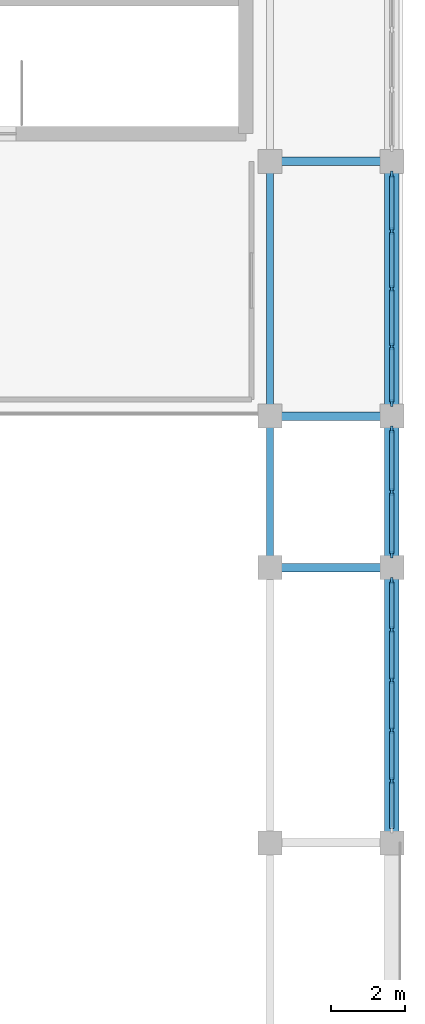
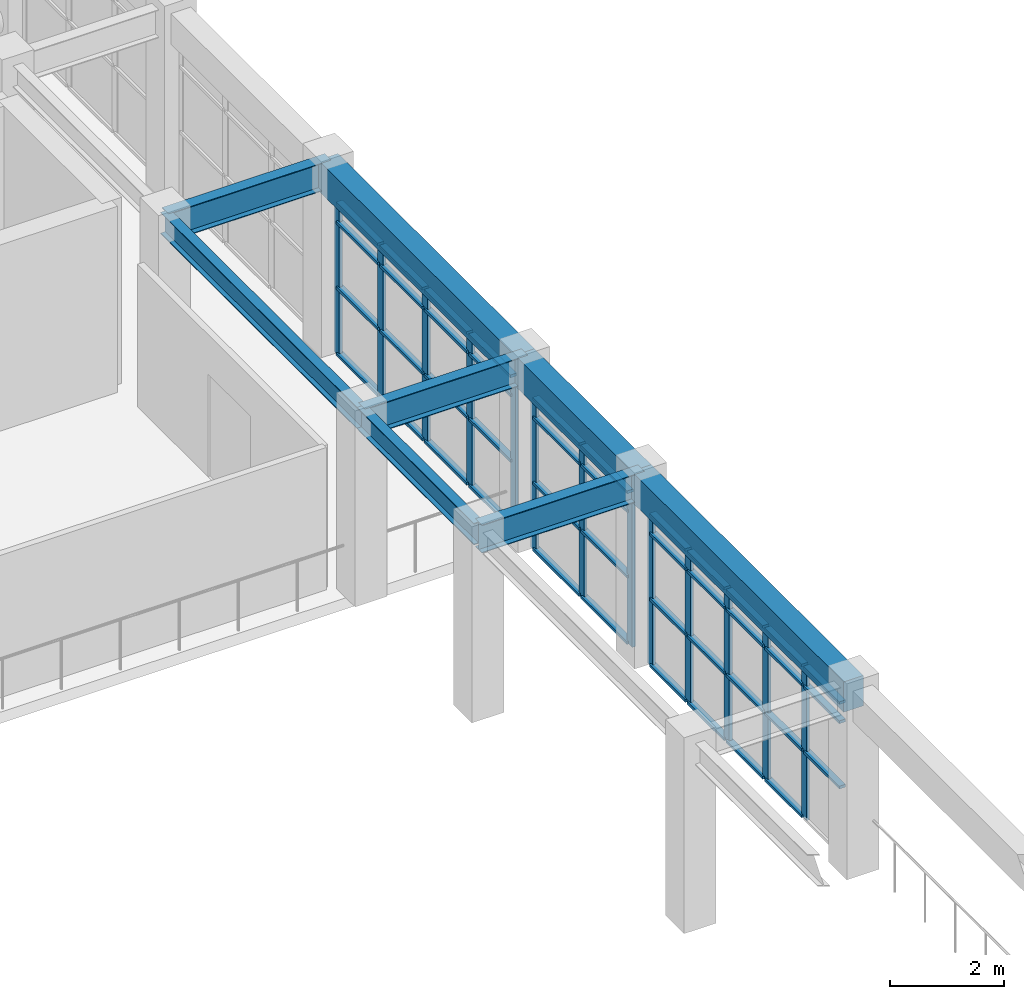
# One storey, part 22 of 66: 56 members, 8 beams, 3 elements without a shape of their own.
"""IFC4 building model written with IfcOpenShell, lengths in metres."""

from ifc_helpers import new_model, si_unit, direction, frame, origin, origin_2d, place, context, subcontext, project, spatial, rectangle, i_section, extrude, material, layer, layer_set, material_profile, profile_set, type_object, element, aggregate, save


model = new_model("IFC4")

# Units and contexts
model_context = context("Model", 3, precision=1e-05, world=origin(), true_north=direction((0.0, 1.0)))
body_context = subcontext(model_context, "Body", "Model", "MODEL_VIEW")
ifc_project = project(units=[si_unit("LENGTHUNIT", "METRE"), si_unit("AREAUNIT", "SQUARE_METRE"), si_unit("VOLUMEUNIT", "CUBIC_METRE"), si_unit("PLANEANGLEUNIT", "RADIAN"), si_unit("MASSUNIT", "GRAM", prefix="KILO")], contexts=[model_context])

# Site, building, storey
site_placement = place(None, origin())
site = spatial("IfcSite", under=ifc_project, at=site_placement, CompositionType="ELEMENT")
building_placement = place(site_placement, origin())
building = spatial("IfcBuilding", under=site, at=building_placement, Name="Candilejo Ridge Gondola Terminal", CompositionType="ELEMENT")
storey_placement = place(building_placement, frame((0.0, 0.0, 14.39990234375)))
storey = spatial("IfcBuildingStorey", under=building, at=storey_placement, Name="L03", CompositionType="ELEMENT", Elevation=14.39990234375)

# Curtain wall, members
ifc_material_1 = material(Name="Anodised aluminium AA 6063-T6", Category="aluminium")
ifc_layer_1 = layer(ifc_material_1, 0.169921875)
ifc_layer_set_1 = layer_set([ifc_layer_1], Name="ARC-CW-HALL-3800-680X329")
curtain_wall_type_1 = type_object("IfcCurtainWallType", Name="ARC-CW-HALL-3800-680X329", PredefinedType="NOTDEFINED", material=ifc_layer_set_1)
curtain_wall_1_placement = place(storey_placement, origin())
curtain_wall_1 = element("IfcCurtainWall", 1, at=curtain_wall_1_placement, inside=storey, type_object=curtain_wall_type_1, Name="Curtain wall V4 L03-156", PredefinedType="NOTDEFINED")
ifc_material_2 = material(Name="Anodised aluminium AA 6063-T6", Category="aluminium")
ifc_material_profile_1 = material_profile(ifc_material_2, rectangle(XDim=0.06494140625, YDim=0.179931640625, at=origin_2d()))
ifc_profile_set_1 = profile_set([ifc_material_profile_1], Name="Anodised aluminium AA 6063-T6")
member_type_1 = type_object("IfcMemberType", Name="ARC-CW-MULLION-180", PredefinedType="MULLION", material=ifc_profile_set_1)
member_1_placement = place(storey_placement, frame((175.300048828125, 19.93505859375, 0.0), z_axis=(0.0, 0.0, 1.0), x_axis=(-1.0, 0.0, 0.0)))
member_1 = element("IfcMember", 2, at=member_1_placement, type_object=member_type_1, Name="CW-68X32 mullion 2", PredefinedType="MULLION", context=body_context, shape_type="SweptSolid", body=[
    extrude(rectangle(XDim=0.06494140625, YDim=0.179931640625, at=origin_2d()), origin(), (0.0, 0.0, 1.0), 3.2900390625),
])
member_2_placement = place(storey_placement, frame((175.300048828125, 21.294921875, 0.0), z_axis=(0.0, 0.0, 1.0), x_axis=(-1.0, 0.0, 0.0)))
member_2 = element("IfcMember", 3, at=member_2_placement, type_object=member_type_1, Name="CW-68X32 mullion 3", PredefinedType="MULLION", context=body_context, shape_type="SweptSolid", body=[
    extrude(rectangle(XDim=0.06494140625, YDim=0.179931640625, at=origin_2d()), origin(), (0.0, 0.0, 1.0), 3.2900390625),
])
member_3_placement = place(storey_placement, frame((175.300048828125, 22.655029296875, 0.0), z_axis=(0.0, 0.0, 1.0), x_axis=(-1.0, 0.0, 0.0)))
member_3 = element("IfcMember", 4, at=member_3_placement, type_object=member_type_1, Name="CW-68X32 mullion 4", PredefinedType="MULLION", context=body_context, shape_type="SweptSolid", body=[
    extrude(rectangle(XDim=0.06494140625, YDim=0.179931640625, at=origin_2d()), origin(), (0.0, 0.0, 1.0), 3.2900390625),
])
member_4_placement = place(storey_placement, frame((175.300048828125, 24.014892578125, 0.0), z_axis=(0.0, 0.0, 1.0), x_axis=(-1.0, 0.0, 0.0)))
member_4 = element("IfcMember", 5, at=member_4_placement, type_object=member_type_1, Name="CW-68X32 mullion 5", PredefinedType="MULLION", context=body_context, shape_type="SweptSolid", body=[
    extrude(rectangle(XDim=0.06494140625, YDim=0.179931640625, at=origin_2d()), origin(), (0.0, 0.0, 1.0), 3.2900390625),
])
member_5_placement = place(storey_placement, frame((175.300048828125, 25.342529296875, 0.0), z_axis=(0.0, 0.0, 1.0), x_axis=(-1.0, 0.0, 0.0)))
member_5 = element("IfcMember", 6, at=member_5_placement, type_object=member_type_1, Name="CW-68X32 mullion 6", PredefinedType="MULLION", context=body_context, shape_type="SweptSolid", body=[
    extrude(rectangle(XDim=0.06494140625, YDim=0.179931640625, at=origin_2d()), origin(), (0.0, 0.0, 1.0), 3.2900390625),
])

ifc_material_3 = material(Name="Anodised aluminium AA 6063-T6", Category="aluminium")
ifc_layer_2 = layer(ifc_material_3, 0.169921875)
ifc_layer_set_2 = layer_set([ifc_layer_2], Name="ARC-CW-HALL-3800-345X329")
curtain_wall_type_2 = type_object("IfcCurtainWallType", Name="ARC-CW-HALL-3800-345X329", PredefinedType="NOTDEFINED", material=ifc_layer_set_2)
curtain_wall_2_placement = place(storey_placement, origin())
curtain_wall_2 = element("IfcCurtainWall", 7, at=curtain_wall_2_placement, inside=storey, type_object=curtain_wall_type_2, Name="Curtain wall V4 L03-158", PredefinedType="NOTDEFINED")
member_6_placement = place(storey_placement, frame((175.300048828125, 26.0576171875, 0.0), z_axis=(0.0, 0.0, 1.0), x_axis=(-1.0, 0.0, 0.0)))
member_6 = element("IfcMember", 8, at=member_6_placement, type_object=member_type_1, Name="CW-34X32 mullion 1", PredefinedType="MULLION", context=body_context, shape_type="SweptSolid", body=[
    extrude(rectangle(XDim=0.06494140625, YDim=0.179931640625, at=origin_2d()), origin(), (0.0, 0.0, 1.0), 3.2900390625),
])
member_7_placement = place(storey_placement, frame((175.300048828125, 27.75, 0.0), z_axis=(0.0, 0.0, 1.0), x_axis=(-1.0, 0.0, 0.0)))
member_7 = element("IfcMember", 9, at=member_7_placement, type_object=member_type_1, Name="CW-34X32 mullion 2", PredefinedType="MULLION", context=body_context, shape_type="SweptSolid", body=[
    extrude(rectangle(XDim=0.06494140625, YDim=0.179931640625, at=origin_2d()), origin(), (0.0, 0.0, 1.0), 3.2900390625),
])
member_8_placement = place(storey_placement, frame((175.300048828125, 29.4423828125, 0.0), z_axis=(0.0, 0.0, 1.0), x_axis=(-1.0, 0.0, 0.0)))
member_8 = element("IfcMember", 10, at=member_8_placement, type_object=member_type_1, Name="CW-34X32 mullion 3", PredefinedType="MULLION", context=body_context, shape_type="SweptSolid", body=[
    extrude(rectangle(XDim=0.06494140625, YDim=0.179931640625, at=origin_2d()), origin(), (0.0, 0.0, 1.0), 3.2900390625),
])

ifc_material_4 = material(Name="Anodised aluminium AA 6063-T6", Category="aluminium")
ifc_layer_3 = layer(ifc_material_4, 0.169921875)
ifc_layer_set_3 = layer_set([ifc_layer_3], Name="ARC-CW-HALL-3800-625X329")
curtain_wall_type_3 = type_object("IfcCurtainWallType", Name="ARC-CW-HALL-3800-625X329", PredefinedType="NOTDEFINED", material=ifc_layer_set_3)
curtain_wall_3_placement = place(storey_placement, origin())
curtain_wall_3 = element("IfcCurtainWall", 11, at=curtain_wall_3_placement, inside=storey, type_object=curtain_wall_type_3, Name="Curtain wall V4 L03-160", PredefinedType="NOTDEFINED")
member_9_placement = place(storey_placement, frame((175.300048828125, 30.157470703125, 0.0), z_axis=(0.0, 0.0, 1.0), x_axis=(-1.0, 0.0, 0.0)))
member_9 = element("IfcMember", 12, at=member_9_placement, type_object=member_type_1, Name="CW-62X32 mullion 1", PredefinedType="MULLION", context=body_context, shape_type="SweptSolid", body=[
    extrude(rectangle(XDim=0.06494140625, YDim=0.179931640625, at=origin_2d()), origin(), (0.0, 0.0, 1.0), 3.2900390625),
])
member_10_placement = place(storey_placement, frame((175.300048828125, 31.6875, 0.0), z_axis=(0.0, 0.0, 1.0), x_axis=(-1.0, 0.0, 0.0)))
member_10 = element("IfcMember", 13, at=member_10_placement, type_object=member_type_1, Name="CW-62X32 mullion 2", PredefinedType="MULLION", context=body_context, shape_type="SweptSolid", body=[
    extrude(rectangle(XDim=0.06494140625, YDim=0.179931640625, at=origin_2d()), origin(), (0.0, 0.0, 1.0), 3.2900390625),
])
member_11_placement = place(storey_placement, frame((175.300048828125, 33.25, 0.0), z_axis=(0.0, 0.0, 1.0), x_axis=(-1.0, 0.0, 0.0)))
member_11 = element("IfcMember", 14, at=member_11_placement, type_object=member_type_1, Name="CW-62X32 mullion 3", PredefinedType="MULLION", context=body_context, shape_type="SweptSolid", body=[
    extrude(rectangle(XDim=0.06494140625, YDim=0.179931640625, at=origin_2d()), origin(), (0.0, 0.0, 1.0), 3.2900390625),
])
member_12_placement = place(storey_placement, frame((175.300048828125, 34.8125, 0.0), z_axis=(0.0, 0.0, 1.0), x_axis=(-1.0, 0.0, 0.0)))
member_12 = element("IfcMember", 15, at=member_12_placement, type_object=member_type_1, Name="CW-62X32 mullion 4", PredefinedType="MULLION", context=body_context, shape_type="SweptSolid", body=[
    extrude(rectangle(XDim=0.06494140625, YDim=0.179931640625, at=origin_2d()), origin(), (0.0, 0.0, 1.0), 3.2900390625),
])
member_13_placement = place(storey_placement, frame((175.300048828125, 36.342529296875, 0.0), z_axis=(0.0, 0.0, 1.0), x_axis=(-1.0, 0.0, 0.0)))
member_13 = element("IfcMember", 16, at=member_13_placement, type_object=member_type_1, Name="CW-62X32 mullion 5", PredefinedType="MULLION", context=body_context, shape_type="SweptSolid", body=[
    extrude(rectangle(XDim=0.06494140625, YDim=0.179931640625, at=origin_2d()), origin(), (0.0, 0.0, 1.0), 3.2900390625),
])

# Member
ifc_material_5 = material(Name="Anodised aluminium AA 6063-T6", Category="aluminium")
ifc_material_profile_2 = material_profile(ifc_material_5, rectangle(XDim=0.1298828125, YDim=0.06005859375, at=origin_2d()))
ifc_profile_set_2 = profile_set([ifc_material_profile_2], Name="Anodised aluminium AA 6063-T6")
member_type_2 = type_object("IfcMemberType", Name="ARC-CW-TRANSOM-130", PredefinedType="USERDEFINED", material=ifc_profile_set_2)
member_14_placement = place(storey_placement, frame((175.300048828125, 18.639892578125, 1.4501953125), z_axis=(0.0, 1.0, 0.0), x_axis=(-1.0, 0.0, 0.0)))
member_14 = element("IfcMember", 17, at=member_14_placement, type_object=member_type_2, Name="CW-68X32 transom 1.2", ObjectType="TRANSOM", PredefinedType="USERDEFINED", context=body_context, shape_type="SweptSolid", body=[
    extrude(rectangle(XDim=0.1298828125, YDim=0.06005859375, at=origin_2d()), origin(), (0.0, 0.0, 1.0), 1.2626953125),
])

member_15_placement = place(storey_placement, frame((175.300048828125, 18.639892578125, 2.85009765625), z_axis=(0.0, 1.0, 0.0), x_axis=(-1.0, 0.0, 0.0)))
member_15 = element("IfcMember", 18, at=member_15_placement, type_object=member_type_2, Name="CW-68X32 transom 1.3", ObjectType="TRANSOM", PredefinedType="USERDEFINED", context=body_context, shape_type="SweptSolid", body=[
    extrude(rectangle(XDim=0.1298828125, YDim=0.06005859375, at=origin_2d()), origin(), (0.0, 0.0, 1.0), 1.2626953125),
])

member_16_placement = place(storey_placement, frame((175.300048828125, 18.639892578125, 3.260009765625), z_axis=(0.0, 1.0, 0.0), x_axis=(-1.0, 0.0, 0.0)))
member_16 = element("IfcMember", 19, at=member_16_placement, type_object=member_type_2, Name="CW-68X32 transom 1.4", ObjectType="TRANSOM", PredefinedType="USERDEFINED", context=body_context, shape_type="SweptSolid", body=[
    extrude(rectangle(XDim=0.1298828125, YDim=0.06005859375, at=origin_2d()), origin(), (0.0, 0.0, 1.0), 1.2626953125),
])

member_17_placement = place(storey_placement, frame((175.300048828125, 19.967529296875, 0.030029296875), z_axis=(0.0, 1.0, 0.0), x_axis=(-1.0, 0.0, 0.0)))
member_17 = element("IfcMember", 20, at=member_17_placement, type_object=member_type_2, Name="CW-68X32 transom 2.1", ObjectType="TRANSOM", PredefinedType="USERDEFINED", context=body_context, shape_type="SweptSolid", body=[
    extrude(rectangle(XDim=0.1298828125, YDim=0.06005859375, at=origin_2d()), origin(), (0.0, 0.0, 1.0), 1.294921875),
])

member_18_placement = place(storey_placement, frame((175.300048828125, 19.967529296875, 1.4501953125), z_axis=(0.0, 1.0, 0.0), x_axis=(-1.0, 0.0, 0.0)))
member_18 = element("IfcMember", 21, at=member_18_placement, type_object=member_type_2, Name="CW-68X32 transom 2.2", ObjectType="TRANSOM", PredefinedType="USERDEFINED", context=body_context, shape_type="SweptSolid", body=[
    extrude(rectangle(XDim=0.1298828125, YDim=0.06005859375, at=origin_2d()), origin(), (0.0, 0.0, 1.0), 1.294921875),
])

member_19_placement = place(storey_placement, frame((175.300048828125, 19.967529296875, 2.85009765625), z_axis=(0.0, 1.0, 0.0), x_axis=(-1.0, 0.0, 0.0)))
member_19 = element("IfcMember", 22, at=member_19_placement, type_object=member_type_2, Name="CW-68X32 transom 2.3", ObjectType="TRANSOM", PredefinedType="USERDEFINED", context=body_context, shape_type="SweptSolid", body=[
    extrude(rectangle(XDim=0.1298828125, YDim=0.06005859375, at=origin_2d()), origin(), (0.0, 0.0, 1.0), 1.294921875),
])

member_20_placement = place(storey_placement, frame((175.300048828125, 19.967529296875, 3.260009765625), z_axis=(0.0, 1.0, 0.0), x_axis=(-1.0, 0.0, 0.0)))
member_20 = element("IfcMember", 23, at=member_20_placement, type_object=member_type_2, Name="CW-68X32 transom 2.4", ObjectType="TRANSOM", PredefinedType="USERDEFINED", context=body_context, shape_type="SweptSolid", body=[
    extrude(rectangle(XDim=0.1298828125, YDim=0.06005859375, at=origin_2d()), origin(), (0.0, 0.0, 1.0), 1.294921875),
])

member_21_placement = place(storey_placement, frame((175.300048828125, 21.327392578125, 0.030029296875), z_axis=(0.0, 1.0, 0.0), x_axis=(-1.0, 0.0, 0.0)))
member_21 = element("IfcMember", 24, at=member_21_placement, type_object=member_type_2, Name="CW-68X32 transom 3.1", ObjectType="TRANSOM", PredefinedType="USERDEFINED", context=body_context, shape_type="SweptSolid", body=[
    extrude(rectangle(XDim=0.1298828125, YDim=0.06005859375, at=origin_2d()), origin(), (0.0, 0.0, 1.0), 1.295166015625),
])

member_22_placement = place(storey_placement, frame((175.300048828125, 21.327392578125, 1.4501953125), z_axis=(0.0, 1.0, 0.0), x_axis=(-1.0, 0.0, 0.0)))
member_22 = element("IfcMember", 25, at=member_22_placement, type_object=member_type_2, Name="CW-68X32 transom 3.2", ObjectType="TRANSOM", PredefinedType="USERDEFINED", context=body_context, shape_type="SweptSolid", body=[
    extrude(rectangle(XDim=0.1298828125, YDim=0.06005859375, at=origin_2d()), origin(), (0.0, 0.0, 1.0), 1.295166015625),
])

member_23_placement = place(storey_placement, frame((175.300048828125, 21.327392578125, 2.85009765625), z_axis=(0.0, 1.0, 0.0), x_axis=(-1.0, 0.0, 0.0)))
member_23 = element("IfcMember", 26, at=member_23_placement, type_object=member_type_2, Name="CW-68X32 transom 3.3", ObjectType="TRANSOM", PredefinedType="USERDEFINED", context=body_context, shape_type="SweptSolid", body=[
    extrude(rectangle(XDim=0.1298828125, YDim=0.06005859375, at=origin_2d()), origin(), (0.0, 0.0, 1.0), 1.295166015625),
])

member_24_placement = place(storey_placement, frame((175.300048828125, 21.327392578125, 3.260009765625), z_axis=(0.0, 1.0, 0.0), x_axis=(-1.0, 0.0, 0.0)))
member_24 = element("IfcMember", 27, at=member_24_placement, type_object=member_type_2, Name="CW-68X32 transom 3.4", ObjectType="TRANSOM", PredefinedType="USERDEFINED", context=body_context, shape_type="SweptSolid", body=[
    extrude(rectangle(XDim=0.1298828125, YDim=0.06005859375, at=origin_2d()), origin(), (0.0, 0.0, 1.0), 1.295166015625),
])

member_25_placement = place(storey_placement, frame((175.300048828125, 22.6875, 0.030029296875), z_axis=(0.0, 1.0, 0.0), x_axis=(-1.0, 0.0, 0.0)))
member_25 = element("IfcMember", 28, at=member_25_placement, type_object=member_type_2, Name="CW-68X32 transom 4.1", ObjectType="TRANSOM", PredefinedType="USERDEFINED", context=body_context, shape_type="SweptSolid", body=[
    extrude(rectangle(XDim=0.1298828125, YDim=0.06005859375, at=origin_2d()), origin(), (0.0, 0.0, 1.0), 1.294921875),
])

member_26_placement = place(storey_placement, frame((175.300048828125, 22.6875, 1.4501953125), z_axis=(0.0, 1.0, 0.0), x_axis=(-1.0, 0.0, 0.0)))
member_26 = element("IfcMember", 29, at=member_26_placement, type_object=member_type_2, Name="CW-68X32 transom 4.2", ObjectType="TRANSOM", PredefinedType="USERDEFINED", context=body_context, shape_type="SweptSolid", body=[
    extrude(rectangle(XDim=0.1298828125, YDim=0.06005859375, at=origin_2d()), origin(), (0.0, 0.0, 1.0), 1.294921875),
])

member_27_placement = place(storey_placement, frame((175.300048828125, 22.6875, 2.85009765625), z_axis=(0.0, 1.0, 0.0), x_axis=(-1.0, 0.0, 0.0)))
member_27 = element("IfcMember", 30, at=member_27_placement, type_object=member_type_2, Name="CW-68X32 transom 4.3", ObjectType="TRANSOM", PredefinedType="USERDEFINED", context=body_context, shape_type="SweptSolid", body=[
    extrude(rectangle(XDim=0.1298828125, YDim=0.06005859375, at=origin_2d()), origin(), (0.0, 0.0, 1.0), 1.294921875),
])

member_28_placement = place(storey_placement, frame((175.300048828125, 22.6875, 3.260009765625), z_axis=(0.0, 1.0, 0.0), x_axis=(-1.0, 0.0, 0.0)))
member_28 = element("IfcMember", 31, at=member_28_placement, type_object=member_type_2, Name="CW-68X32 transom 4.4", ObjectType="TRANSOM", PredefinedType="USERDEFINED", context=body_context, shape_type="SweptSolid", body=[
    extrude(rectangle(XDim=0.1298828125, YDim=0.06005859375, at=origin_2d()), origin(), (0.0, 0.0, 1.0), 1.294921875),
])

member_29_placement = place(storey_placement, frame((175.300048828125, 24.047607421875, 0.030029296875), z_axis=(0.0, 1.0, 0.0), x_axis=(-1.0, 0.0, 0.0)))
member_29 = element("IfcMember", 32, at=member_29_placement, type_object=member_type_2, Name="CW-68X32 transom 5.1", ObjectType="TRANSOM", PredefinedType="USERDEFINED", context=body_context, shape_type="SweptSolid", body=[
    extrude(rectangle(XDim=0.1298828125, YDim=0.06005859375, at=origin_2d()), origin(), (0.0, 0.0, 1.0), 1.262451171875),
])

member_30_placement = place(storey_placement, frame((175.300048828125, 24.047607421875, 1.4501953125), z_axis=(0.0, 1.0, 0.0), x_axis=(-1.0, 0.0, 0.0)))
member_30 = element("IfcMember", 33, at=member_30_placement, type_object=member_type_2, Name="CW-68X32 transom 5.2", ObjectType="TRANSOM", PredefinedType="USERDEFINED", context=body_context, shape_type="SweptSolid", body=[
    extrude(rectangle(XDim=0.1298828125, YDim=0.06005859375, at=origin_2d()), origin(), (0.0, 0.0, 1.0), 1.262451171875),
])

member_31_placement = place(storey_placement, frame((175.300048828125, 24.047607421875, 2.85009765625), z_axis=(0.0, 1.0, 0.0), x_axis=(-1.0, 0.0, 0.0)))
member_31 = element("IfcMember", 34, at=member_31_placement, type_object=member_type_2, Name="CW-68X32 transom 5.3", ObjectType="TRANSOM", PredefinedType="USERDEFINED", context=body_context, shape_type="SweptSolid", body=[
    extrude(rectangle(XDim=0.1298828125, YDim=0.06005859375, at=origin_2d()), origin(), (0.0, 0.0, 1.0), 1.262451171875),
])

member_32_placement = place(storey_placement, frame((175.300048828125, 24.047607421875, 3.260009765625), z_axis=(0.0, 1.0, 0.0), x_axis=(-1.0, 0.0, 0.0)))
member_32 = element("IfcMember", 35, at=member_32_placement, type_object=member_type_2, Name="CW-68X32 transom 5.4", ObjectType="TRANSOM", PredefinedType="USERDEFINED", context=body_context, shape_type="SweptSolid", body=[
    extrude(rectangle(XDim=0.1298828125, YDim=0.06005859375, at=origin_2d()), origin(), (0.0, 0.0, 1.0), 1.262451171875),
])

aggregate(curtain_wall_1, [member_1, member_2, member_3, member_4, member_5, member_14, member_15, member_16, member_17, member_18, member_19, member_20, member_21, member_22, member_23, member_24, member_25, member_26, member_27, member_28, member_29, member_30, member_31, member_32])

member_33_placement = place(storey_placement, frame((175.300048828125, 26.090087890625, 0.030029296875), z_axis=(0.0, 1.0, 0.0), x_axis=(-1.0, 0.0, 0.0)))
member_33 = element("IfcMember", 36, at=member_33_placement, type_object=member_type_2, Name="CW-34X32 transom 1.1", ObjectType="TRANSOM", PredefinedType="USERDEFINED", context=body_context, shape_type="SweptSolid", body=[
    extrude(rectangle(XDim=0.1298828125, YDim=0.06005859375, at=origin_2d()), origin(), (0.0, 0.0, 1.0), 1.62744140625),
])

member_34_placement = place(storey_placement, frame((175.300048828125, 26.090087890625, 1.4501953125), z_axis=(0.0, 1.0, 0.0), x_axis=(-1.0, 0.0, 0.0)))
member_34 = element("IfcMember", 37, at=member_34_placement, type_object=member_type_2, Name="CW-34X32 transom 1.2", ObjectType="TRANSOM", PredefinedType="USERDEFINED", context=body_context, shape_type="SweptSolid", body=[
    extrude(rectangle(XDim=0.1298828125, YDim=0.06005859375, at=origin_2d()), origin(), (0.0, 0.0, 1.0), 1.62744140625),
])

member_35_placement = place(storey_placement, frame((175.300048828125, 26.090087890625, 2.85009765625), z_axis=(0.0, 1.0, 0.0), x_axis=(-1.0, 0.0, 0.0)))
member_35 = element("IfcMember", 38, at=member_35_placement, type_object=member_type_2, Name="CW-34X32 transom 1.3", ObjectType="TRANSOM", PredefinedType="USERDEFINED", context=body_context, shape_type="SweptSolid", body=[
    extrude(rectangle(XDim=0.1298828125, YDim=0.06005859375, at=origin_2d()), origin(), (0.0, 0.0, 1.0), 1.62744140625),
])

member_36_placement = place(storey_placement, frame((175.300048828125, 26.090087890625, 3.260009765625), z_axis=(0.0, 1.0, 0.0), x_axis=(-1.0, 0.0, 0.0)))
member_36 = element("IfcMember", 39, at=member_36_placement, type_object=member_type_2, Name="CW-34X32 transom 1.4", ObjectType="TRANSOM", PredefinedType="USERDEFINED", context=body_context, shape_type="SweptSolid", body=[
    extrude(rectangle(XDim=0.1298828125, YDim=0.06005859375, at=origin_2d()), origin(), (0.0, 0.0, 1.0), 1.62744140625),
])

member_37_placement = place(storey_placement, frame((175.300048828125, 27.782470703125, 0.030029296875), z_axis=(0.0, 1.0, 0.0), x_axis=(-1.0, 0.0, 0.0)))
member_37 = element("IfcMember", 40, at=member_37_placement, type_object=member_type_2, Name="CW-34X32 transom 2.1", ObjectType="TRANSOM", PredefinedType="USERDEFINED", context=body_context, shape_type="SweptSolid", body=[
    extrude(rectangle(XDim=0.1298828125, YDim=0.06005859375, at=origin_2d()), origin(), (0.0, 0.0, 1.0), 1.62744140625),
])

member_38_placement = place(storey_placement, frame((175.300048828125, 27.782470703125, 1.4501953125), z_axis=(0.0, 1.0, 0.0), x_axis=(-1.0, 0.0, 0.0)))
member_38 = element("IfcMember", 41, at=member_38_placement, type_object=member_type_2, Name="CW-34X32 transom 2.2", ObjectType="TRANSOM", PredefinedType="USERDEFINED", context=body_context, shape_type="SweptSolid", body=[
    extrude(rectangle(XDim=0.1298828125, YDim=0.06005859375, at=origin_2d()), origin(), (0.0, 0.0, 1.0), 1.62744140625),
])

member_39_placement = place(storey_placement, frame((175.300048828125, 27.782470703125, 2.85009765625), z_axis=(0.0, 1.0, 0.0), x_axis=(-1.0, 0.0, 0.0)))
member_39 = element("IfcMember", 42, at=member_39_placement, type_object=member_type_2, Name="CW-34X32 transom 2.3", ObjectType="TRANSOM", PredefinedType="USERDEFINED", context=body_context, shape_type="SweptSolid", body=[
    extrude(rectangle(XDim=0.1298828125, YDim=0.06005859375, at=origin_2d()), origin(), (0.0, 0.0, 1.0), 1.62744140625),
])

member_40_placement = place(storey_placement, frame((175.300048828125, 27.782470703125, 3.260009765625), z_axis=(0.0, 1.0, 0.0), x_axis=(-1.0, 0.0, 0.0)))
member_40 = element("IfcMember", 43, at=member_40_placement, type_object=member_type_2, Name="CW-34X32 transom 2.4", ObjectType="TRANSOM", PredefinedType="USERDEFINED", context=body_context, shape_type="SweptSolid", body=[
    extrude(rectangle(XDim=0.1298828125, YDim=0.06005859375, at=origin_2d()), origin(), (0.0, 0.0, 1.0), 1.62744140625),
])

aggregate(curtain_wall_2, [member_6, member_7, member_8, member_33, member_34, member_35, member_36, member_37, member_38, member_39, member_40])

member_41_placement = place(storey_placement, frame((175.300048828125, 30.18994140625, 0.030029296875), z_axis=(0.0, 1.0, 0.0), x_axis=(-1.0, 0.0, 0.0)))
member_41 = element("IfcMember", 44, at=member_41_placement, type_object=member_type_2, Name="CW-62X32 transom 1.1", ObjectType="TRANSOM", PredefinedType="USERDEFINED", context=body_context, shape_type="SweptSolid", body=[
    extrude(rectangle(XDim=0.1298828125, YDim=0.06005859375, at=origin_2d()), origin(), (0.0, 0.0, 1.0), 1.465087890625),
])

member_42_placement = place(storey_placement, frame((175.300048828125, 30.18994140625, 1.4501953125), z_axis=(0.0, 1.0, 0.0), x_axis=(-1.0, 0.0, 0.0)))
member_42 = element("IfcMember", 45, at=member_42_placement, type_object=member_type_2, Name="CW-62X32 transom 1.2", ObjectType="TRANSOM", PredefinedType="USERDEFINED", context=body_context, shape_type="SweptSolid", body=[
    extrude(rectangle(XDim=0.1298828125, YDim=0.06005859375, at=origin_2d()), origin(), (0.0, 0.0, 1.0), 1.465087890625),
])

member_43_placement = place(storey_placement, frame((175.300048828125, 30.18994140625, 2.85009765625), z_axis=(0.0, 1.0, 0.0), x_axis=(-1.0, 0.0, 0.0)))
member_43 = element("IfcMember", 46, at=member_43_placement, type_object=member_type_2, Name="CW-62X32 transom 1.3", ObjectType="TRANSOM", PredefinedType="USERDEFINED", context=body_context, shape_type="SweptSolid", body=[
    extrude(rectangle(XDim=0.1298828125, YDim=0.06005859375, at=origin_2d()), origin(), (0.0, 0.0, 1.0), 1.465087890625),
])

member_44_placement = place(storey_placement, frame((175.300048828125, 30.18994140625, 3.260009765625), z_axis=(0.0, 1.0, 0.0), x_axis=(-1.0, 0.0, 0.0)))
member_44 = element("IfcMember", 47, at=member_44_placement, type_object=member_type_2, Name="CW-62X32 transom 1.4", ObjectType="TRANSOM", PredefinedType="USERDEFINED", context=body_context, shape_type="SweptSolid", body=[
    extrude(rectangle(XDim=0.1298828125, YDim=0.06005859375, at=origin_2d()), origin(), (0.0, 0.0, 1.0), 1.465087890625),
])

member_45_placement = place(storey_placement, frame((175.300048828125, 31.719970703125, 0.030029296875), z_axis=(0.0, 1.0, 0.0), x_axis=(-1.0, 0.0, 0.0)))
member_45 = element("IfcMember", 48, at=member_45_placement, type_object=member_type_2, Name="CW-62X32 transom 2.1", ObjectType="TRANSOM", PredefinedType="USERDEFINED", context=body_context, shape_type="SweptSolid", body=[
    extrude(rectangle(XDim=0.1298828125, YDim=0.06005859375, at=origin_2d()), origin(), (0.0, 0.0, 1.0), 1.49755859375),
])

member_46_placement = place(storey_placement, frame((175.300048828125, 31.719970703125, 1.4501953125), z_axis=(0.0, 1.0, 0.0), x_axis=(-1.0, 0.0, 0.0)))
member_46 = element("IfcMember", 49, at=member_46_placement, type_object=member_type_2, Name="CW-62X32 transom 2.2", ObjectType="TRANSOM", PredefinedType="USERDEFINED", context=body_context, shape_type="SweptSolid", body=[
    extrude(rectangle(XDim=0.1298828125, YDim=0.06005859375, at=origin_2d()), origin(), (0.0, 0.0, 1.0), 1.49755859375),
])

member_47_placement = place(storey_placement, frame((175.300048828125, 31.719970703125, 2.85009765625), z_axis=(0.0, 1.0, 0.0), x_axis=(-1.0, 0.0, 0.0)))
member_47 = element("IfcMember", 50, at=member_47_placement, type_object=member_type_2, Name="CW-62X32 transom 2.3", ObjectType="TRANSOM", PredefinedType="USERDEFINED", context=body_context, shape_type="SweptSolid", body=[
    extrude(rectangle(XDim=0.1298828125, YDim=0.06005859375, at=origin_2d()), origin(), (0.0, 0.0, 1.0), 1.49755859375),
])

member_48_placement = place(storey_placement, frame((175.300048828125, 31.719970703125, 3.260009765625), z_axis=(0.0, 1.0, 0.0), x_axis=(-1.0, 0.0, 0.0)))
member_48 = element("IfcMember", 51, at=member_48_placement, type_object=member_type_2, Name="CW-62X32 transom 2.4", ObjectType="TRANSOM", PredefinedType="USERDEFINED", context=body_context, shape_type="SweptSolid", body=[
    extrude(rectangle(XDim=0.1298828125, YDim=0.06005859375, at=origin_2d()), origin(), (0.0, 0.0, 1.0), 1.49755859375),
])

member_49_placement = place(storey_placement, frame((175.300048828125, 33.282470703125, 0.030029296875), z_axis=(0.0, 1.0, 0.0), x_axis=(-1.0, 0.0, 0.0)))
member_49 = element("IfcMember", 52, at=member_49_placement, type_object=member_type_2, Name="CW-62X32 transom 3.1", ObjectType="TRANSOM", PredefinedType="USERDEFINED", context=body_context, shape_type="SweptSolid", body=[
    extrude(rectangle(XDim=0.1298828125, YDim=0.06005859375, at=origin_2d()), origin(), (0.0, 0.0, 1.0), 1.49755859375),
])

member_50_placement = place(storey_placement, frame((175.300048828125, 33.282470703125, 1.4501953125), z_axis=(0.0, 1.0, 0.0), x_axis=(-1.0, 0.0, 0.0)))
member_50 = element("IfcMember", 53, at=member_50_placement, type_object=member_type_2, Name="CW-62X32 transom 3.2", ObjectType="TRANSOM", PredefinedType="USERDEFINED", context=body_context, shape_type="SweptSolid", body=[
    extrude(rectangle(XDim=0.1298828125, YDim=0.06005859375, at=origin_2d()), origin(), (0.0, 0.0, 1.0), 1.49755859375),
])

member_51_placement = place(storey_placement, frame((175.300048828125, 33.282470703125, 2.85009765625), z_axis=(0.0, 1.0, 0.0), x_axis=(-1.0, 0.0, 0.0)))
member_51 = element("IfcMember", 54, at=member_51_placement, type_object=member_type_2, Name="CW-62X32 transom 3.3", ObjectType="TRANSOM", PredefinedType="USERDEFINED", context=body_context, shape_type="SweptSolid", body=[
    extrude(rectangle(XDim=0.1298828125, YDim=0.06005859375, at=origin_2d()), origin(), (0.0, 0.0, 1.0), 1.49755859375),
])

member_52_placement = place(storey_placement, frame((175.300048828125, 33.282470703125, 3.260009765625), z_axis=(0.0, 1.0, 0.0), x_axis=(-1.0, 0.0, 0.0)))
member_52 = element("IfcMember", 55, at=member_52_placement, type_object=member_type_2, Name="CW-62X32 transom 3.4", ObjectType="TRANSOM", PredefinedType="USERDEFINED", context=body_context, shape_type="SweptSolid", body=[
    extrude(rectangle(XDim=0.1298828125, YDim=0.06005859375, at=origin_2d()), origin(), (0.0, 0.0, 1.0), 1.49755859375),
])

member_53_placement = place(storey_placement, frame((175.300048828125, 34.844970703125, 0.030029296875), z_axis=(0.0, 1.0, 0.0), x_axis=(-1.0, 0.0, 0.0)))
member_53 = element("IfcMember", 56, at=member_53_placement, type_object=member_type_2, Name="CW-62X32 transom 4.1", ObjectType="TRANSOM", PredefinedType="USERDEFINED", context=body_context, shape_type="SweptSolid", body=[
    extrude(rectangle(XDim=0.1298828125, YDim=0.06005859375, at=origin_2d()), origin(), (0.0, 0.0, 1.0), 1.465087890625),
])

member_54_placement = place(storey_placement, frame((175.300048828125, 34.844970703125, 1.4501953125), z_axis=(0.0, 1.0, 0.0), x_axis=(-1.0, 0.0, 0.0)))
member_54 = element("IfcMember", 57, at=member_54_placement, type_object=member_type_2, Name="CW-62X32 transom 4.2", ObjectType="TRANSOM", PredefinedType="USERDEFINED", context=body_context, shape_type="SweptSolid", body=[
    extrude(rectangle(XDim=0.1298828125, YDim=0.06005859375, at=origin_2d()), origin(), (0.0, 0.0, 1.0), 1.465087890625),
])

member_55_placement = place(storey_placement, frame((175.300048828125, 34.844970703125, 2.85009765625), z_axis=(0.0, 1.0, 0.0), x_axis=(-1.0, 0.0, 0.0)))
member_55 = element("IfcMember", 58, at=member_55_placement, type_object=member_type_2, Name="CW-62X32 transom 4.3", ObjectType="TRANSOM", PredefinedType="USERDEFINED", context=body_context, shape_type="SweptSolid", body=[
    extrude(rectangle(XDim=0.1298828125, YDim=0.06005859375, at=origin_2d()), origin(), (0.0, 0.0, 1.0), 1.465087890625),
])

member_56_placement = place(storey_placement, frame((175.300048828125, 34.844970703125, 3.260009765625), z_axis=(0.0, 1.0, 0.0), x_axis=(-1.0, 0.0, 0.0)))
member_56 = element("IfcMember", 59, at=member_56_placement, type_object=member_type_2, Name="CW-62X32 transom 4.4", ObjectType="TRANSOM", PredefinedType="USERDEFINED", context=body_context, shape_type="SweptSolid", body=[
    extrude(rectangle(XDim=0.1298828125, YDim=0.06005859375, at=origin_2d()), origin(), (0.0, 0.0, 1.0), 1.465087890625),
])

aggregate(curtain_wall_3, [member_9, member_10, member_11, member_12, member_13, member_41, member_42, member_43, member_44, member_45, member_46, member_47, member_48, member_49, member_50, member_51, member_52, member_53, member_54, member_55, member_56])

# Beams
ifc_material_6 = material(Name="Steel ASTM A992 Grade 50", Category="steel")
ifc_material_profile_3 = material_profile(ifc_material_6, i_section(OverallWidth=0.19189453125, OverallDepth=0.462890625, WebThickness=0.010498046875, FlangeThickness=0.017578125, at=origin_2d()))
ifc_profile_set_3 = profile_set([ifc_material_profile_3], Name="Steel ASTM A992 Grade 50")
beam_type_1 = type_object("IfcBeamType", Name="STR-BM-W460X89", PredefinedType="BEAM", material=ifc_profile_set_3)
beam_1_placement = place(storey_placement, frame((172.0, 25.699951171875, 3.7685546875), z_axis=(0.0, 1.0, 0.0), x_axis=(-1.0, 0.0, 0.0)))
element("IfcBeam", 60, at=beam_1_placement, inside=storey, type_object=beam_type_1, Name="Beam Y V4 L03 Y05-Y06@X26", PredefinedType="BEAM", context=body_context, shape_type="SweptSolid", body=[
    extrude(i_section(OverallWidth=0.19189453125, OverallDepth=0.462890625, WebThickness=0.010498046875, FlangeThickness=0.017578125, at=origin_2d()), origin(), (0.0, 0.0, 1.0), 4.10009765625),
])
beam_2_placement = place(storey_placement, frame((172.0, 29.800048828125, 3.7685546875), z_axis=(0.0, 1.0, 0.0), x_axis=(-1.0, 0.0, 0.0)))
element("IfcBeam", 61, at=beam_2_placement, inside=storey, type_object=beam_type_1, Name="Beam Y V4 L03 Y06-Y07@X26", PredefinedType="BEAM", context=body_context, shape_type="SweptSolid", body=[
    extrude(i_section(OverallWidth=0.19189453125, OverallDepth=0.462890625, WebThickness=0.010498046875, FlangeThickness=0.017578125, at=origin_2d()), origin(), (0.0, 0.0, 1.0), 6.89990234375),
])
ifc_material_7 = material(Name="Steel ASTM A992 Grade 50", Category="steel")
ifc_material_profile_4 = material_profile(ifc_material_7, i_section(OverallWidth=0.22802734375, OverallDepth=0.60302734375, WebThickness=0.010498046875, FlangeThickness=0.014892578125, at=origin_2d()))
ifc_profile_set_4 = profile_set([ifc_material_profile_4], Name="Steel ASTM A992 Grade 50")
beam_type_2 = type_object("IfcBeamType", Name="STR-BM-W610X101", PredefinedType="BEAM", material=ifc_profile_set_4)
for number, where, z_axis, x_axis, name in (
    (62, (172.0, 25.699951171875, 3.698486328125), (1.0, 0.0, 0.0), (0.0, 1.0, 0.0), "Beam X V4 L03 X26-X27@Y05"),
    (63, (172.0, 29.800048828125, 3.698486328125), (1.0, 0.0, 0.0), (0.0, 1.0, 0.0), "Beam X V4 L03 X26-X27@Y06"),
    (64, (172.0, 36.699951171875, 3.698486328125), (1.0, 0.0, 0.0), (0.0, 1.0, 0.0), "Beam X V4 L03 X26-X27@Y07"),
):
    element("IfcBeam", number, at=place(storey_placement, frame(where, z_axis=z_axis, x_axis=x_axis)), inside=storey, type_object=beam_type_2, Name=name, PredefinedType="BEAM", context=body_context, shape_type="SweptSolid", body=[
        extrude(i_section(OverallWidth=0.22802734375, OverallDepth=0.60302734375, WebThickness=0.010498046875, FlangeThickness=0.014892578125, at=origin_2d()), origin(), (0.0, 0.0, 1.0), 3.300048828125),
    ])
ifc_material_8 = material(Name="Concrete f'c 35 MPa (C35/45)", Category="concrete")
ifc_material_profile_5 = material_profile(ifc_material_8, rectangle(XDim=0.39990234375, YDim=0.64990234375, at=origin_2d()))
ifc_profile_set_5 = profile_set([ifc_material_profile_5], Name="Concrete f'c 35 MPa (C35/45)")
beam_type_3 = type_object("IfcBeamType", Name="STR-SPN-RC400X650", PredefinedType="SPANDREL", material=ifc_profile_set_5)
beam_3_placement = place(storey_placement, frame((175.300048828125, 18.25, 3.675048828125), z_axis=(0.0, 1.0, 0.0), x_axis=(-1.0, 0.0, 0.0)))
element("IfcBeam", 65, at=beam_3_placement, inside=storey, type_object=beam_type_3, Name="Beam Y V4 L03 Y03-Y05@X27", PredefinedType="SPANDREL", context=body_context, shape_type="SweptSolid", body=[
    extrude(rectangle(XDim=0.39990234375, YDim=0.64990234375, at=origin_2d()), origin(), (0.0, 0.0, 1.0), 7.449951171875),
])
beam_4_placement = place(storey_placement, frame((175.300048828125, 25.699951171875, 3.675048828125), z_axis=(0.0, 1.0, 0.0), x_axis=(-1.0, 0.0, 0.0)))
element("IfcBeam", 66, at=beam_4_placement, inside=storey, type_object=beam_type_3, Name="Beam Y V4 L03 Y05-Y06@X27", PredefinedType="SPANDREL", context=body_context, shape_type="SweptSolid", body=[
    extrude(rectangle(XDim=0.39990234375, YDim=0.64990234375, at=origin_2d()), origin(), (0.0, 0.0, 1.0), 4.10009765625),
])
beam_5_placement = place(storey_placement, frame((175.300048828125, 29.800048828125, 3.675048828125), z_axis=(0.0, 1.0, 0.0), x_axis=(-1.0, 0.0, 0.0)))
element("IfcBeam", 67, at=beam_5_placement, inside=storey, type_object=beam_type_3, Name="Beam Y V4 L03 Y06-Y07@X27", PredefinedType="SPANDREL", context=body_context, shape_type="SweptSolid", body=[
    extrude(rectangle(XDim=0.39990234375, YDim=0.64990234375, at=origin_2d()), origin(), (0.0, 0.0, 1.0), 6.89990234375),
])

save(model, "model.ifc")
